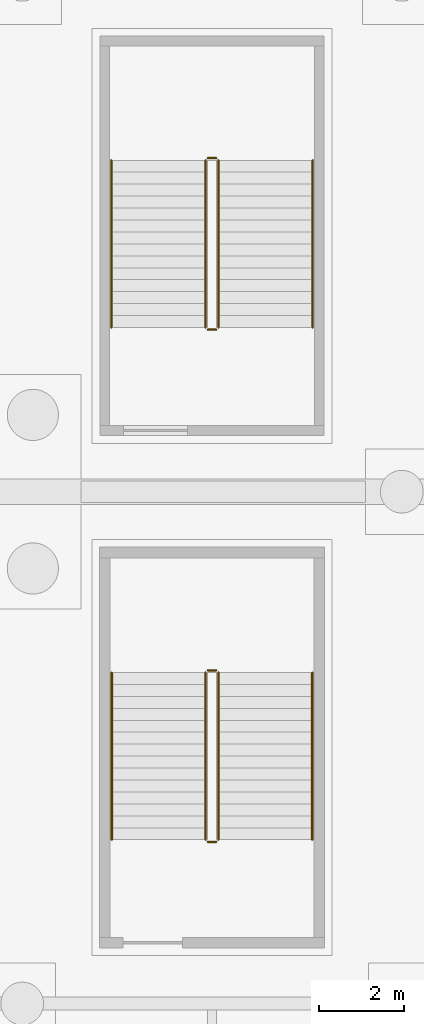
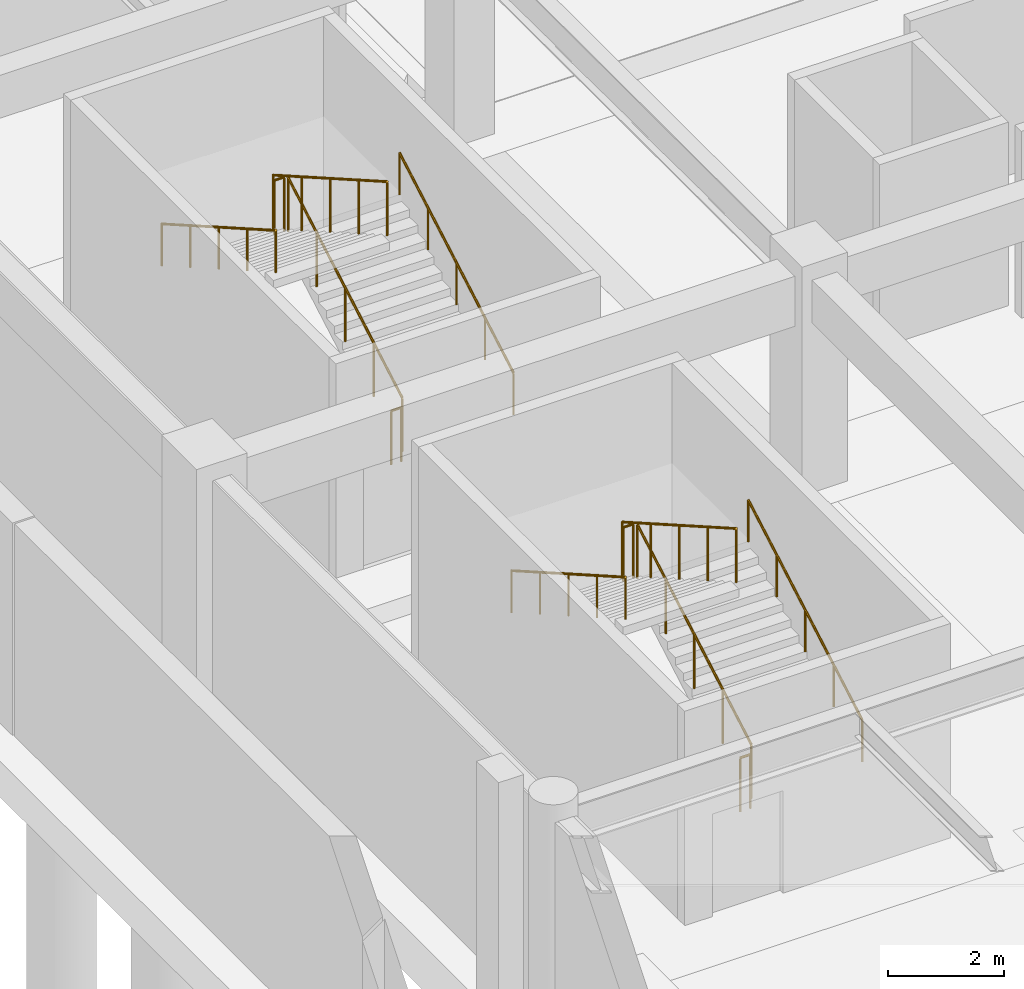
# One storey, part 51 of 56: 12 railings.
"""IFC4 building model written with IfcOpenShell, lengths in metres."""

from ifc_helpers import new_model, si_unit, direction, frame, origin, origin_2d, place, context, subcontext, project, spatial, circle, extrude, material, layer, layer_set, type_object, element, save


model = new_model("IFC4")

# Units and contexts
model_context = context("Model", 3, precision=1e-05, world=origin(), true_north=direction((0.0, 1.0)))
body_context = subcontext(model_context, "Body", "Model", "MODEL_VIEW")
ifc_project = project(units=[si_unit("LENGTHUNIT", "METRE"), si_unit("AREAUNIT", "SQUARE_METRE"), si_unit("VOLUMEUNIT", "CUBIC_METRE"), si_unit("PLANEANGLEUNIT", "RADIAN"), si_unit("MASSUNIT", "GRAM", prefix="KILO")], contexts=[model_context])

# Site, building, storey
site_placement = place(None, origin())
site = spatial("IfcSite", under=ifc_project, at=site_placement, CompositionType="ELEMENT")
building_placement = place(site_placement, origin())
building = spatial("IfcBuilding", under=site, at=building_placement, Name="Kazenohara Klinker Stadium", CompositionType="ELEMENT")
storey_placement = place(building_placement, frame((0.0, 0.0, -4.800048828125)))
storey = spatial("IfcBuildingStorey", under=building, at=storey_placement, Name="B01", CompositionType="ELEMENT", Elevation=-4.800048828125)

# Railings
ifc_material_1 = material(Name="Brushed stainless steel 304 handrail", Category="steel")
ifc_layer_1 = layer(ifc_material_1, 0.050048828125)
ifc_layer_set_1 = layer_set([ifc_layer_1], Name="Brushed stainless steel 304 handrail")
railing_type_1 = type_object("IfcRailingType", Name="RL-HND-900", PredefinedType="HANDRAIL", material=ifc_layer_set_1)
railing_1_placement = place(storey_placement, frame((8.35009765625, 135.840087890625, 0.16015625)))
element("IfcRailing", 1, at=railing_1_placement, inside=storey, type_object=railing_type_1, Name="B01 ST05 stair handrail 1", PredefinedType="HANDRAIL", context=body_context, shape_type="SweptSolid", body=[
    extrude(circle(Radius=0.02392578125, at=origin_2d()), frame((0.0, 0.0, 0.8759765625), z_axis=(0.0, 0.868239814368, 0.496144761885), x_axis=(-1.0, 0.0, 0.0)), (0.0, 0.0, 1.0), 4.514892578125),
    extrude(circle(Radius=0.02099609375, at=origin_2d()), origin(), (0.0, 0.0, 1.0), 0.851806640625),
    extrude(circle(Radius=0.02099609375, at=origin_2d()), frame((0.0, 0.97998046875, 0.56005859375)), (0.0, 0.0, 1.0), 0.851806640625),
    extrude(circle(Radius=0.02099609375, at=origin_2d()), frame((0.0, 1.9599609375, 1.1201171875)), (0.0, 0.0, 1.0), 0.851806640625),
    extrude(circle(Radius=0.02099609375, at=origin_2d()), frame((0.0, 2.93994140625, 1.679931640625)), (0.0, 0.0, 1.0), 0.851806640625),
    extrude(circle(Radius=0.02099609375, at=origin_2d()), frame((0.0, 3.919921875, 2.239990234375)), (0.0, 0.0, 1.0), 0.851806640625),
])
railing_2_placement = place(storey_placement, frame((3.64990234375, 139.760009765625, 2.56005859375)))
element("IfcRailing", 2, at=railing_2_placement, inside=storey, type_object=railing_type_1, Name="B01 ST05 stair handrail 2", PredefinedType="HANDRAIL", context=body_context, shape_type="SweptSolid", body=[
    extrude(circle(Radius=0.02392578125, at=origin_2d()), frame((0.0, 0.0, 0.8759765625), z_axis=(0.0, -0.868239814368, 0.496144761885), x_axis=(1.0, 0.0, 0.0)), (0.0, 0.0, 1.0), 4.514892578125),
    extrude(circle(Radius=0.02099609375, at=origin_2d()), origin(), (0.0, 0.0, 1.0), 0.851806640625),
    extrude(circle(Radius=0.02099609375, at=origin_2d()), frame((0.0, -0.97998046875, 0.56005859375)), (0.0, 0.0, 1.0), 0.851806640625),
    extrude(circle(Radius=0.02099609375, at=origin_2d()), frame((0.0, -1.9599609375, 1.1201171875)), (0.0, 0.0, 1.0), 0.851806640625),
    extrude(circle(Radius=0.02099609375, at=origin_2d()), frame((0.0, -2.93994140625, 1.679931640625)), (0.0, 0.0, 1.0), 0.851806640625),
    extrude(circle(Radius=0.02099609375, at=origin_2d()), frame((0.0, -3.919921875, 2.239990234375)), (0.0, 0.0, 1.0), 0.851806640625),
])
railing_3_placement = place(storey_placement, frame((8.360107421875, 147.85009765625, 0.16015625)))
element("IfcRailing", 3, at=railing_3_placement, inside=storey, type_object=railing_type_1, Name="B01 ST06 stair handrail 1", PredefinedType="HANDRAIL", context=body_context, shape_type="SweptSolid", body=[
    extrude(circle(Radius=0.02392578125, at=origin_2d()), frame((0.0, 0.0, 0.8759765625), z_axis=(0.0, 0.868239814368, 0.496144761885), x_axis=(-1.0, 0.0, 0.0)), (0.0, 0.0, 1.0), 4.514892578125),
    extrude(circle(Radius=0.02099609375, at=origin_2d()), origin(), (0.0, 0.0, 1.0), 0.851806640625),
    extrude(circle(Radius=0.02099609375, at=origin_2d()), frame((0.0, 0.97998046875, 0.56005859375)), (0.0, 0.0, 1.0), 0.851806640625),
    extrude(circle(Radius=0.02099609375, at=origin_2d()), frame((0.0, 1.9599609375, 1.1201171875)), (0.0, 0.0, 1.0), 0.851806640625),
    extrude(circle(Radius=0.02099609375, at=origin_2d()), frame((0.0, 2.93994140625, 1.679931640625)), (0.0, 0.0, 1.0), 0.851806640625),
    extrude(circle(Radius=0.02099609375, at=origin_2d()), frame((0.0, 3.919921875, 2.239990234375)), (0.0, 0.0, 1.0), 0.851806640625),
])
railing_4_placement = place(storey_placement, frame((3.639892578125, 151.77001953125, 2.56005859375)))
element("IfcRailing", 4, at=railing_4_placement, inside=storey, type_object=railing_type_1, Name="B01 ST06 stair handrail 2", PredefinedType="HANDRAIL", context=body_context, shape_type="SweptSolid", body=[
    extrude(circle(Radius=0.02392578125, at=origin_2d()), frame((0.0, 0.0, 0.8759765625), z_axis=(0.0, -0.868239814368, 0.496144761885), x_axis=(1.0, 0.0, 0.0)), (0.0, 0.0, 1.0), 4.514892578125),
    extrude(circle(Radius=0.02099609375, at=origin_2d()), origin(), (0.0, 0.0, 1.0), 0.851806640625),
    extrude(circle(Radius=0.02099609375, at=origin_2d()), frame((0.0, -0.97998046875, 0.56005859375)), (0.0, 0.0, 1.0), 0.851806640625),
    extrude(circle(Radius=0.02099609375, at=origin_2d()), frame((0.0, -1.9599609375, 1.1201171875)), (0.0, 0.0, 1.0), 0.851806640625),
    extrude(circle(Radius=0.02099609375, at=origin_2d()), frame((0.0, -2.93994140625, 1.679931640625)), (0.0, 0.0, 1.0), 0.851806640625),
    extrude(circle(Radius=0.02099609375, at=origin_2d()), frame((0.0, -3.919921875, 2.239990234375)), (0.0, 0.0, 1.0), 0.851806640625),
])
ifc_material_2 = material(Name="Painted steel stairwell guardrail", Category="steel")
ifc_layer_2 = layer(ifc_material_2, 0.06005859375)
ifc_layer_set_2 = layer_set([ifc_layer_2], Name="Painted steel stairwell guardrail")
railing_type_2 = type_object("IfcRailingType", Name="RL-STG-1120", PredefinedType="GUARDRAIL", material=ifc_layer_set_2)
railing_5_placement = place(storey_placement, frame((6.14990234375, 135.840087890625, 0.16015625)))
element("IfcRailing", 5, at=railing_5_placement, inside=storey, type_object=railing_type_2, Name="B01 ST05 stair guard 1", PredefinedType="GUARDRAIL", context=body_context, shape_type="SweptSolid", body=[
    extrude(circle(Radius=0.02392578125, at=origin_2d()), frame((0.0, 0.0, 1.1259765625), z_axis=(0.0, 0.868239814368, 0.496144761885), x_axis=(-1.0, 0.0, 0.0)), (0.0, 0.0, 1.0), 4.514892578125),
    extrude(circle(Radius=0.02099609375, at=origin_2d()), origin(), (0.0, 0.0, 1.0), 1.101806640625),
    extrude(circle(Radius=0.02099609375, at=origin_2d()), frame((0.0, 0.97998046875, 0.56005859375)), (0.0, 0.0, 1.0), 1.101806640625),
    extrude(circle(Radius=0.02099609375, at=origin_2d()), frame((0.0, 1.9599609375, 1.1201171875)), (0.0, 0.0, 1.0), 1.101806640625),
    extrude(circle(Radius=0.02099609375, at=origin_2d()), frame((0.0, 2.93994140625, 1.679931640625)), (0.0, 0.0, 1.0), 1.101806640625),
    extrude(circle(Radius=0.02099609375, at=origin_2d()), frame((0.0, 3.919921875, 2.239990234375)), (0.0, 0.0, 1.0), 1.101806640625),
])
railing_6_placement = place(storey_placement, frame((6.10009765625, 139.81005859375, 2.400146484375)))
element("IfcRailing", 6, at=railing_6_placement, inside=storey, type_object=railing_type_2, Name="B01 ST05 stair guard 2", PredefinedType="GUARDRAIL", context=body_context, shape_type="SweptSolid", body=[
    extrude(circle(Radius=0.02392578125, at=origin_2d()), frame((0.0, 0.0, 1.1259765625), z_axis=(-1.0, 0.0, 0.0), x_axis=(0.0, -1.0, 0.0)), (0.0, 0.0, 1.0), 0.2001953125),
    extrude(circle(Radius=0.02099609375, at=origin_2d()), origin(), (0.0, 0.0, 1.0), 1.101806640625),
    extrude(circle(Radius=0.02099609375, at=origin_2d()), frame((-0.2001953125, 0.0, 0.0)), (0.0, 0.0, 1.0), 1.101806640625),
])
railing_7_placement = place(storey_placement, frame((5.85009765625, 139.760009765625, 2.56005859375)))
element("IfcRailing", 7, at=railing_7_placement, inside=storey, type_object=railing_type_2, Name="B01 ST05 stair guard 3", PredefinedType="GUARDRAIL", context=body_context, shape_type="SweptSolid", body=[
    extrude(circle(Radius=0.02392578125, at=origin_2d()), frame((0.0, 0.0, 1.1259765625), z_axis=(0.0, -0.868239814368, 0.496144761885), x_axis=(1.0, 0.0, 0.0)), (0.0, 0.0, 1.0), 4.514892578125),
    extrude(circle(Radius=0.02099609375, at=origin_2d()), origin(), (0.0, 0.0, 1.0), 1.101806640625),
    extrude(circle(Radius=0.02099609375, at=origin_2d()), frame((0.0, -0.97998046875, 0.56005859375)), (0.0, 0.0, 1.0), 1.101806640625),
    extrude(circle(Radius=0.02099609375, at=origin_2d()), frame((0.0, -1.9599609375, 1.1201171875)), (0.0, 0.0, 1.0), 1.101806640625),
    extrude(circle(Radius=0.02099609375, at=origin_2d()), frame((0.0, -2.93994140625, 1.679931640625)), (0.0, 0.0, 1.0), 1.101806640625),
    extrude(circle(Radius=0.02099609375, at=origin_2d()), frame((0.0, -3.919921875, 2.239990234375)), (0.0, 0.0, 1.0), 1.101806640625),
])
railing_8_placement = place(storey_placement, frame((6.10009765625, 135.7900390625, 0.0)))
element("IfcRailing", 8, at=railing_8_placement, inside=storey, type_object=railing_type_2, Name="B01 ST05 stair guard 4", PredefinedType="GUARDRAIL", context=body_context, shape_type="SweptSolid", body=[
    extrude(circle(Radius=0.02392578125, at=origin_2d()), frame((0.0, 0.0, 1.1259765625), z_axis=(-1.0, 0.0, 0.0), x_axis=(0.0, -1.0, 0.0)), (0.0, 0.0, 1.0), 0.2001953125),
    extrude(circle(Radius=0.02099609375, at=origin_2d()), origin(), (0.0, 0.0, 1.0), 1.101806640625),
    extrude(circle(Radius=0.02099609375, at=origin_2d()), frame((-0.2001953125, 0.0, 0.0)), (0.0, 0.0, 1.0), 1.101806640625),
])
railing_9_placement = place(storey_placement, frame((6.14990234375, 147.85009765625, 0.16015625)))
element("IfcRailing", 9, at=railing_9_placement, inside=storey, type_object=railing_type_2, Name="B01 ST06 stair guard 1", PredefinedType="GUARDRAIL", context=body_context, shape_type="SweptSolid", body=[
    extrude(circle(Radius=0.02392578125, at=origin_2d()), frame((0.0, 0.0, 1.1259765625), z_axis=(0.0, 0.868239814368, 0.496144761885), x_axis=(-1.0, 0.0, 0.0)), (0.0, 0.0, 1.0), 4.514892578125),
    extrude(circle(Radius=0.02099609375, at=origin_2d()), origin(), (0.0, 0.0, 1.0), 1.101806640625),
    extrude(circle(Radius=0.02099609375, at=origin_2d()), frame((0.0, 0.97998046875, 0.56005859375)), (0.0, 0.0, 1.0), 1.101806640625),
    extrude(circle(Radius=0.02099609375, at=origin_2d()), frame((0.0, 1.9599609375, 1.1201171875)), (0.0, 0.0, 1.0), 1.101806640625),
    extrude(circle(Radius=0.02099609375, at=origin_2d()), frame((0.0, 2.93994140625, 1.679931640625)), (0.0, 0.0, 1.0), 1.101806640625),
    extrude(circle(Radius=0.02099609375, at=origin_2d()), frame((0.0, 3.919921875, 2.239990234375)), (0.0, 0.0, 1.0), 1.101806640625),
])
railing_10_placement = place(storey_placement, frame((6.10009765625, 151.820068359375, 2.400146484375)))
element("IfcRailing", 10, at=railing_10_placement, inside=storey, type_object=railing_type_2, Name="B01 ST06 stair guard 2", PredefinedType="GUARDRAIL", context=body_context, shape_type="SweptSolid", body=[
    extrude(circle(Radius=0.02392578125, at=origin_2d()), frame((0.0, 0.0, 1.1259765625), z_axis=(-1.0, 0.0, 0.0), x_axis=(0.0, -1.0, 0.0)), (0.0, 0.0, 1.0), 0.2001953125),
    extrude(circle(Radius=0.02099609375, at=origin_2d()), origin(), (0.0, 0.0, 1.0), 1.101806640625),
    extrude(circle(Radius=0.02099609375, at=origin_2d()), frame((-0.2001953125, 0.0, 0.0)), (0.0, 0.0, 1.0), 1.101806640625),
])
railing_11_placement = place(storey_placement, frame((5.85009765625, 151.77001953125, 2.56005859375)))
element("IfcRailing", 11, at=railing_11_placement, inside=storey, type_object=railing_type_2, Name="B01 ST06 stair guard 3", PredefinedType="GUARDRAIL", context=body_context, shape_type="SweptSolid", body=[
    extrude(circle(Radius=0.02392578125, at=origin_2d()), frame((0.0, 0.0, 1.1259765625), z_axis=(0.0, -0.868239814368, 0.496144761885), x_axis=(1.0, 0.0, 0.0)), (0.0, 0.0, 1.0), 4.514892578125),
    extrude(circle(Radius=0.02099609375, at=origin_2d()), origin(), (0.0, 0.0, 1.0), 1.101806640625),
    extrude(circle(Radius=0.02099609375, at=origin_2d()), frame((0.0, -0.97998046875, 0.56005859375)), (0.0, 0.0, 1.0), 1.101806640625),
    extrude(circle(Radius=0.02099609375, at=origin_2d()), frame((0.0, -1.9599609375, 1.1201171875)), (0.0, 0.0, 1.0), 1.101806640625),
    extrude(circle(Radius=0.02099609375, at=origin_2d()), frame((0.0, -2.93994140625, 1.679931640625)), (0.0, 0.0, 1.0), 1.101806640625),
    extrude(circle(Radius=0.02099609375, at=origin_2d()), frame((0.0, -3.919921875, 2.239990234375)), (0.0, 0.0, 1.0), 1.101806640625),
])
railing_12_placement = place(storey_placement, frame((6.10009765625, 147.800048828125, 0.0)))
element("IfcRailing", 12, at=railing_12_placement, inside=storey, type_object=railing_type_2, Name="B01 ST06 stair guard 4", PredefinedType="GUARDRAIL", context=body_context, shape_type="SweptSolid", body=[
    extrude(circle(Radius=0.02392578125, at=origin_2d()), frame((0.0, 0.0, 1.1259765625), z_axis=(-1.0, 0.0, 0.0), x_axis=(0.0, -1.0, 0.0)), (0.0, 0.0, 1.0), 0.2001953125),
    extrude(circle(Radius=0.02099609375, at=origin_2d()), origin(), (0.0, 0.0, 1.0), 1.101806640625),
    extrude(circle(Radius=0.02099609375, at=origin_2d()), frame((-0.2001953125, 0.0, 0.0)), (0.0, 0.0, 1.0), 1.101806640625),
])

save(model, "model.ifc")
